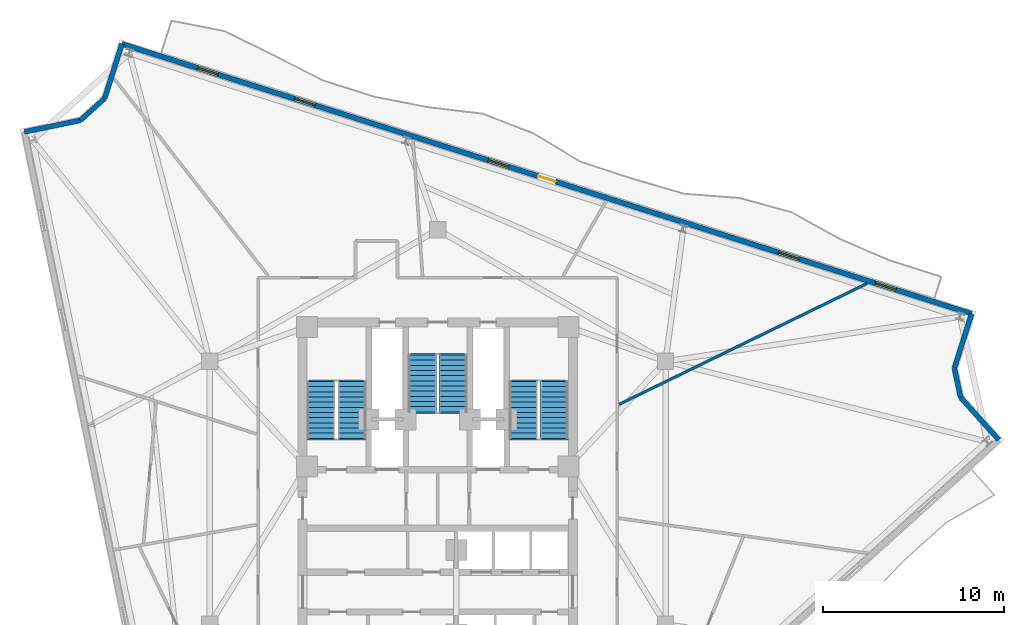
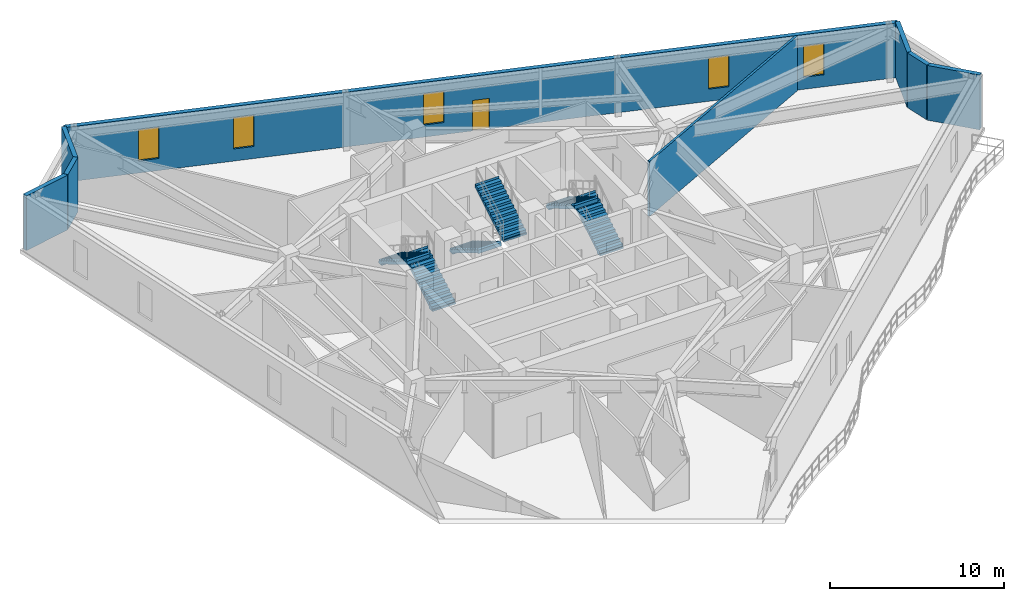
# One storey, part 8 of 11: 8 walls, 6 stair flights, 5 windows, 1 door, 6 openings, 3 elements without a shape of their own.
"""IFC4 building model written with IfcOpenShell, lengths in metres."""

from ifc_helpers import new_model, si_unit, direction, frame, frame_2d, origin, place, context, subcontext, project, spatial, polyline, rectangle, outline, extrude, material, layer, layer_set, type_object, element, fill, aggregate, save


model = new_model("IFC4")

# Units and contexts
model_context = context("Model", 3, precision=1e-05, world=origin(), true_north=direction((0.0, 1.0)))
body_context = subcontext(model_context, "Body", "Model", "MODEL_VIEW")
ifc_project = project(units=[si_unit("LENGTHUNIT", "METRE"), si_unit("AREAUNIT", "SQUARE_METRE"), si_unit("VOLUMEUNIT", "CUBIC_METRE"), si_unit("PLANEANGLEUNIT", "RADIAN"), si_unit("MASSUNIT", "GRAM", prefix="KILO")], contexts=[model_context])

# Site, building, storey
site_placement = place(None, origin())
site = spatial("IfcSite", under=ifc_project, at=site_placement, CompositionType="ELEMENT")
building_placement = place(site_placement, origin())
building = spatial("IfcBuilding", under=site, at=building_placement, Name="Apsidion Concourse Tower", CompositionType="ELEMENT")
storey_placement = place(building_placement, frame((0.0, 0.0, 236.300048828125)))
storey = spatial("IfcBuildingStorey", under=building, at=storey_placement, Name="L55", CompositionType="ELEMENT", Elevation=236.300048828125)

# Wall, openings, door, windows
ifc_material_1 = material(Name="Precast concrete C40/50", Category="concrete")
ifc_layer_1 = layer(ifc_material_1, 0.280029296875)
ifc_layer_set_1 = layer_set([ifc_layer_1], Name="Precast concrete C40/50")
wall_type_1 = type_object("IfcWallType", Name="WL-EXT-280", PredefinedType="STANDARD", material=ifc_layer_set_1)
wall_1_placement = place(storey_placement, frame((-17.4072265625, 24.74755859375, 0.0), z_axis=(0.0, 0.0, 1.0), x_axis=(0.953082756031, -0.302709861346, 0.0)))
wall_1 = element("IfcWall", 1, at=wall_1_placement, inside=storey, type_object=wall_type_1, Name="L55 Precast Stone Facade Wall 01", PredefinedType="STANDARD", context=body_context, shape_type="SweptSolid", body=[
    extrude(rectangle(XDim=49.14501953125, YDim=0.280029296875, at=frame_2d((24.572509765625, 0.0))), origin(), (0.0, 0.0, 1.0), 3.849853515625),
])
opening_1_placement = place(wall_1_placement, frame((24.072509765625, 0.0, 0.0)))
opening_1 = element("IfcOpeningElement", 2, at=opening_1_placement, cuts=wall_1, Name="Opening D-T1L", PredefinedType="OPENING", context=body_context, shape_type="SweptSolid", body=[
    extrude(rectangle(XDim=1.0, YDim=2.14990234375, at=frame_2d((0.5, 1.074951171875))), frame((0.0, 0.14990234375, 0.0), z_axis=(0.0, -1.0, 0.0), x_axis=(1.0, 0.0, 0.0)), (0.0, 0.0, 1.0), 0.300048828125),
])
opening_2_placement = place(wall_1_placement, frame((4.37255859375, 0.0, 0.85009765625)))
opening_2 = element("IfcOpeningElement", 3, at=opening_2_placement, cuts=wall_1, Name="Opening WN-06", PredefinedType="OPENING", context=body_context, shape_type="SweptSolid", body=[
    extrude(rectangle(XDim=1.199951171875, YDim=2.199951171875, at=frame_2d((0.60009765625, 1.10009765625))), frame((0.0, 0.14990234375, 0.0), z_axis=(0.0, -1.0, 0.0), x_axis=(1.0, 0.0, 0.0)), (0.0, 0.0, 1.0), 0.300048828125),
])
opening_3_placement = place(wall_1_placement, frame((9.97265625, 0.0, 0.85009765625)))
opening_3 = element("IfcOpeningElement", 4, at=opening_3_placement, cuts=wall_1, Name="Opening WN-06", PredefinedType="OPENING", context=body_context, shape_type="SweptSolid", body=[
    extrude(rectangle(XDim=1.199951171875, YDim=2.199951171875, at=frame_2d((0.60009765625, 1.10009765625))), frame((0.0, 0.14990234375, 0.0), z_axis=(0.0, -1.0, 0.0), x_axis=(1.0, 0.0, 0.0)), (0.0, 0.0, 1.0), 0.300048828125),
])
opening_4_placement = place(wall_1_placement, frame((21.172607421875, 0.0, 0.85009765625)))
opening_4 = element("IfcOpeningElement", 5, at=opening_4_placement, cuts=wall_1, Name="Opening WN-06", PredefinedType="OPENING", context=body_context, shape_type="SweptSolid", body=[
    extrude(rectangle(XDim=1.199951171875, YDim=2.199951171875, at=frame_2d((0.60009765625, 1.10009765625))), frame((0.0, 0.14990234375, 0.0), z_axis=(0.0, -1.0, 0.0), x_axis=(1.0, 0.0, 0.0)), (0.0, 0.0, 1.0), 0.300048828125),
])
opening_5_placement = place(wall_1_placement, frame((37.97265625, 0.0, 0.85009765625)))
opening_5 = element("IfcOpeningElement", 6, at=opening_5_placement, cuts=wall_1, Name="Opening WN-06", PredefinedType="OPENING", context=body_context, shape_type="SweptSolid", body=[
    extrude(rectangle(XDim=1.199951171875, YDim=2.199951171875, at=frame_2d((0.60009765625, 1.10009765625))), frame((0.0, 0.14990234375, 0.0), z_axis=(0.0, -1.0, 0.0), x_axis=(1.0, 0.0, 0.0)), (0.0, 0.0, 1.0), 0.300048828125),
])
opening_6_placement = place(wall_1_placement, frame((43.572509765625, 0.0, 0.85009765625)))
opening_6 = element("IfcOpeningElement", 7, at=opening_6_placement, cuts=wall_1, Name="Opening WN-06", PredefinedType="OPENING", context=body_context, shape_type="SweptSolid", body=[
    extrude(rectangle(XDim=1.199951171875, YDim=2.199951171875, at=frame_2d((0.60009765625, 1.10009765625))), frame((0.0, 0.14990234375, 0.0), z_axis=(0.0, -1.0, 0.0), x_axis=(1.0, 0.0, 0.0)), (0.0, 0.0, 1.0), 0.300048828125),
])
ifc_material_2 = material(Name="Anodised aluminium EN AW-6063 T6", Category="aluminium")
door_type = type_object("IfcDoorType", Name="DR-TER-1022L", OperationType="SINGLE_SWING_LEFT", PredefinedType="DOOR", material=ifc_material_2)
door_placement = place(opening_1_placement, origin())
door = element("IfcDoor", 8, at=door_placement, inside=storey, type_object=door_type, Name="L55 Balcony Access Door 2", OperationType="SINGLE_SWING_LEFT", OverallHeight=2.14990234375, OverallWidth=1.0, PredefinedType="DOOR", context=body_context, shape_type="SweptSolid", body=[
    extrude(rectangle(XDim=1.0, YDim=2.14990234375, at=frame_2d((0.5, 1.074951171875))), frame((0.0, 0.02490234375, 0.0), z_axis=(0.0, -1.0, 0.0), x_axis=(1.0, 0.0, 0.0)), (0.0, 0.0, 1.0), 0.050048828125),
])
fill(opening_1, door)
ifc_material_3 = material(Name="Insulated laminated low-E glass", Category="glass")
window_type = type_object("IfcWindowType", Name="WN-OFF-1224", PartitioningType="SINGLE_PANEL", PredefinedType="WINDOW", material=ifc_material_3)
window_1_placement = place(opening_2_placement, origin())
window_1 = element("IfcWindow", 9, at=window_1_placement, inside=storey, type_object=window_type, Name="L55 Punched Facade Window 1-01", OverallHeight=2.199951171875, OverallWidth=1.199951171875, PartitioningType="SINGLE_PANEL", PredefinedType="WINDOW", context=body_context, shape_type="SweptSolid", body=[
    extrude(rectangle(XDim=1.199951171875, YDim=2.199951171875, at=frame_2d((0.60009765625, 1.10009765625))), frame((0.0, 0.030029296875, 0.0), z_axis=(0.0, -1.0, 0.0), x_axis=(1.0, 0.0, 0.0)), (0.0, 0.0, 1.0), 0.06005859375),
])
fill(opening_2, window_1)
window_2_placement = place(opening_3_placement, origin())
window_2 = element("IfcWindow", 10, at=window_2_placement, inside=storey, type_object=window_type, Name="L55 Punched Facade Window 1-02", OverallHeight=2.199951171875, OverallWidth=1.199951171875, PartitioningType="SINGLE_PANEL", PredefinedType="WINDOW", context=body_context, shape_type="SweptSolid", body=[
    extrude(rectangle(XDim=1.199951171875, YDim=2.199951171875, at=frame_2d((0.60009765625, 1.10009765625))), frame((0.0, 0.030029296875, 0.0), z_axis=(0.0, -1.0, 0.0), x_axis=(1.0, 0.0, 0.0)), (0.0, 0.0, 1.0), 0.06005859375),
])
fill(opening_3, window_2)
window_3_placement = place(opening_4_placement, origin())
window_3 = element("IfcWindow", 11, at=window_3_placement, inside=storey, type_object=window_type, Name="L55 Punched Facade Window 1-04", OverallHeight=2.199951171875, OverallWidth=1.199951171875, PartitioningType="SINGLE_PANEL", PredefinedType="WINDOW", context=body_context, shape_type="SweptSolid", body=[
    extrude(rectangle(XDim=1.199951171875, YDim=2.199951171875, at=frame_2d((0.60009765625, 1.10009765625))), frame((0.0, 0.030029296875, 0.0), z_axis=(0.0, -1.0, 0.0), x_axis=(1.0, 0.0, 0.0)), (0.0, 0.0, 1.0), 0.06005859375),
])
fill(opening_4, window_3)
window_4_placement = place(opening_5_placement, origin())
window_4 = element("IfcWindow", 12, at=window_4_placement, inside=storey, type_object=window_type, Name="L55 Punched Facade Window 1-07", OverallHeight=2.199951171875, OverallWidth=1.199951171875, PartitioningType="SINGLE_PANEL", PredefinedType="WINDOW", context=body_context, shape_type="SweptSolid", body=[
    extrude(rectangle(XDim=1.199951171875, YDim=2.199951171875, at=frame_2d((0.60009765625, 1.10009765625))), frame((0.0, 0.030029296875, 0.0), z_axis=(0.0, -1.0, 0.0), x_axis=(1.0, 0.0, 0.0)), (0.0, 0.0, 1.0), 0.06005859375),
])
fill(opening_5, window_4)
window_5_placement = place(opening_6_placement, origin())
window_5 = element("IfcWindow", 13, at=window_5_placement, inside=storey, type_object=window_type, Name="L55 Punched Facade Window 1-08", OverallHeight=2.199951171875, OverallWidth=1.199951171875, PartitioningType="SINGLE_PANEL", PredefinedType="WINDOW", context=body_context, shape_type="SweptSolid", body=[
    extrude(rectangle(XDim=1.199951171875, YDim=2.199951171875, at=frame_2d((0.60009765625, 1.10009765625))), frame((0.0, 0.030029296875, 0.0), z_axis=(0.0, -1.0, 0.0), x_axis=(1.0, 0.0, 0.0)), (0.0, 0.0, 1.0), 0.06005859375),
])
fill(opening_6, window_5)

# Walls
wall_2_placement = place(storey_placement, frame((29.43212890625, 9.870849609375, 0.0), z_axis=(0.0, 0.0, 1.0), x_axis=(-0.30264059672, -0.953104752489, 0.0)))
element("IfcWall", 14, at=wall_2_placement, inside=storey, type_object=wall_type_1, Name="L55 Precast Stone Facade Wall 02", PredefinedType="STANDARD", context=body_context, shape_type="SweptSolid", body=[
    extrude(rectangle(XDim=3.150146484375, YDim=0.280029296875, at=frame_2d((1.5751953125, 0.0))), origin(), (0.0, 0.0, 1.0), 3.849853515625),
])
wall_3_placement = place(storey_placement, frame((28.478759765625, 6.868408203125, 0.0), z_axis=(0.0, 0.0, 1.0), x_axis=(0.211126358094, -0.977458777094, 0.0)))
element("IfcWall", 15, at=wall_3_placement, inside=storey, type_object=wall_type_1, Name="L55 Precast Stone Facade Wall 03", PredefinedType="STANDARD", context=body_context, shape_type="SweptSolid", body=[
    extrude(rectangle(XDim=1.64892578125, YDim=0.280029296875, at=frame_2d((0.824462890625, 0.0))), origin(), (0.0, 0.0, 1.0), 3.849853515625),
])
wall_4_placement = place(storey_placement, frame((28.826904296875, 5.256591796875, 0.0), z_axis=(0.0, 0.0, 1.0), x_axis=(0.669127439782, -0.743147676663, 0.0)))
element("IfcWall", 16, at=wall_4_placement, inside=storey, type_object=wall_type_1, Name="L55 Precast Stone Facade Wall 04", PredefinedType="STANDARD", context=body_context, shape_type="SweptSolid", body=[
    extrude(rectangle(XDim=3.14990234375, YDim=0.280029296875, at=frame_2d((1.574951171875, 0.0))), origin(), (0.0, 0.0, 1.0), 3.849853515625),
])
wall_5_placement = place(storey_placement, frame((-22.79248046875, 19.898681640625, 0.0), z_axis=(0.0, 0.0, 1.0), x_axis=(0.979502474011, 0.201432131016, 0.0)))
element("IfcWall", 17, at=wall_5_placement, inside=storey, type_object=wall_type_1, Name="L55 Precast Stone Facade Wall 10", PredefinedType="STANDARD", context=body_context, shape_type="SweptSolid", body=[
    extrude(rectangle(XDim=3.1513671875, YDim=0.280029296875, at=frame_2d((1.57568359375, 0.0))), origin(), (0.0, 0.0, 1.0), 3.849853515625),
])
wall_6_placement = place(storey_placement, frame((-19.705810546875, 20.533447265625, 0.0), z_axis=(0.0, 0.0, 1.0), x_axis=(0.743173371482, 0.669098901449, 0.0)))
element("IfcWall", 18, at=wall_6_placement, inside=storey, type_object=wall_type_1, Name="L55 Precast Stone Facade Wall 11", PredefinedType="STANDARD", context=body_context, shape_type="SweptSolid", body=[
    extrude(rectangle(XDim=1.809326171875, YDim=0.280029296875, at=frame_2d((0.90478515625, 0.0))), origin(), (0.0, 0.0, 1.0), 3.849853515625),
])
wall_7_placement = place(storey_placement, frame((-18.361083984375, 21.744140625, 0.0), z_axis=(0.0, 0.0, 1.0), x_axis=(0.302691963624, 0.953088440365, 0.0)))
element("IfcWall", 19, at=wall_7_placement, inside=storey, type_object=wall_type_1, Name="L55 Precast Stone Facade Wall 12", PredefinedType="STANDARD", context=body_context, shape_type="SweptSolid", body=[
    extrude(rectangle(XDim=3.1513671875, YDim=0.280029296875, at=frame_2d((1.57568359375, 0.0))), origin(), (0.0, 0.0, 1.0), 3.849853515625),
])
ifc_material_4 = material(Name="Gypsum plasterboard partition")
ifc_layer_2 = layer(ifc_material_4, 0.14990234375)
ifc_layer_set_2 = layer_set([ifc_layer_2], Name="Gypsum plasterboard partition")
wall_type_2 = type_object("IfcWallType", Name="WL-INT-PAR-150", PredefinedType="PARTITIONING", material=ifc_layer_set_2)
wall_8_placement = place(storey_placement, frame((10.0048828125, 4.8798828125, 0.0), z_axis=(0.0, 0.0, 1.0), x_axis=(0.89879886383, 0.43836126925, 0.0)))
element("IfcWall", 20, at=wall_8_placement, inside=storey, type_object=wall_type_2, Name="L55 Interior Partition WL-L55-RAD-01-1", PredefinedType="PARTITIONING", context=body_context, shape_type="SweptSolid", body=[
    extrude(rectangle(XDim=15.195068359375, YDim=0.14990234375, at=frame_2d((7.59765625, 0.0))), origin(), (0.0, 0.0, 1.0), 3.849853515625),
])

# Stair, stair flights
stair_type = type_object("IfcStairType", Name="ST-DL-1550", PredefinedType="HALF_TURN_STAIR", material=ifc_material_1)
stair_1_placement = place(storey_placement, origin())
stair_1 = element("IfcStair", 21, at=stair_1_placement, inside=storey, type_object=stair_type, Name="L55 Protected Core Exit Stair ST1", PredefinedType="HALF_TURN_STAIR")
stair_flight_type = type_object("IfcStairFlightType", Name="SFL-RC-1550", PredefinedType="STRAIGHT", material=ifc_material_1)
stair_flight_1_placement = place(storey_placement, frame((-4.72509765625, 3.0, 0.0), z_axis=(0.0, 0.0, 1.0), x_axis=(0.0, 1.0, 0.0)))
stair_flight_1 = element("IfcStairFlight", 22, at=stair_flight_1_placement, type_object=stair_flight_type, Name="ST1 flight 1", NumberOfRisers=12, NumberOfTreads=11, PredefinedType="STRAIGHT", RiserHeight=0.170833333, TreadLength=0.285, context=body_context, shape_type="SweptSolid", body=[
    extrude(outline(polyline([(-0.080078125, -0.1123046875), (-0.080078125, 0.0), (0.0, 0.0), (0.0, 0.1708984375), (0.284912109375, 0.1708984375), (0.284912109375, 0.341552734375), (0.570068359375, 0.341552734375), (0.570068359375, 0.512451171875), (0.85498046875, 0.512451171875), (0.85498046875, 0.683349609375), (1.139892578125, 0.683349609375), (1.139892578125, 0.854248046875), (1.425048828125, 0.854248046875), (1.425048828125, 1.02490234375), (1.7099609375, 1.02490234375), (1.7099609375, 1.19580078125), (1.9951171875, 1.19580078125), (1.9951171875, 1.36669921875), (2.280029296875, 1.36669921875), (2.280029296875, 1.53759765625), (2.56494140625, 1.53759765625), (2.56494140625, 1.708251953125), (2.85009765625, 1.708251953125), (2.85009765625, 1.879150390625), (3.135009765625, 1.879150390625), (3.135009765625, 2.050048828125), (3.215087890625, 1.964599609375), (3.215087890625, 1.704345703125), (3.135009765625, 1.704345703125), (0.29150390625, 0.0), (0.29150390625, -0.1123046875), (-0.080078125, -0.1123046875)])), frame((0.0, 0.77490234375, 0.0), z_axis=(0.0, -1.0, 0.0), x_axis=(1.0, 0.0, 0.0)), (0.0, 0.0, 1.0), 1.550048828125),
])
stair_flight_2_placement = place(storey_placement, frame((-6.425048828125, 6.135009765625, 2.050048828125), z_axis=(0.0, 0.0, 1.0), x_axis=(0.0, -1.0, 0.0)))
stair_flight_2 = element("IfcStairFlight", 23, at=stair_flight_2_placement, type_object=stair_flight_type, Name="ST1 flight 2", NumberOfRisers=12, NumberOfTreads=11, PredefinedType="STRAIGHT", RiserHeight=0.170833333, TreadLength=0.285, context=body_context, shape_type="SweptSolid", body=[
    extrude(outline(polyline([(-0.080078125, -0.1123046875), (-0.080078125, 0.0), (0.0, 0.0), (0.0, 0.1708984375), (0.284912109375, 0.1708984375), (0.284912109375, 0.341552734375), (0.570068359375, 0.341552734375), (0.570068359375, 0.512451171875), (0.85498046875, 0.512451171875), (0.85498046875, 0.683349609375), (1.139892578125, 0.683349609375), (1.139892578125, 0.854248046875), (1.425048828125, 0.854248046875), (1.425048828125, 1.02490234375), (1.7099609375, 1.02490234375), (1.7099609375, 1.19580078125), (1.9951171875, 1.19580078125), (1.9951171875, 1.36669921875), (2.280029296875, 1.36669921875), (2.280029296875, 1.53759765625), (2.56494140625, 1.53759765625), (2.56494140625, 1.708251953125), (2.85009765625, 1.708251953125), (2.85009765625, 1.879150390625), (3.135009765625, 1.879150390625), (3.135009765625, 2.050048828125), (3.215087890625, 1.964599609375), (3.215087890625, 1.704345703125), (3.135009765625, 1.704345703125), (0.29150390625, 0.0), (0.29150390625, -0.1123046875), (-0.080078125, -0.1123046875)])), frame((0.0, 0.77490234375, 0.0), z_axis=(0.0, -1.0, 0.0), x_axis=(1.0, 0.0, 0.0)), (0.0, 0.0, 1.0), 1.550048828125),
])
aggregate(stair_1, [stair_flight_1, stair_flight_2])

stair_2_placement = place(storey_placement, origin())
stair_2 = element("IfcStair", 24, at=stair_2_placement, inside=storey, type_object=stair_type, Name="L55 Protected Core Exit Stair ST2", PredefinedType="HALF_TURN_STAIR")
stair_flight_3_placement = place(storey_placement, frame((6.425048828125, 3.0, 0.0), z_axis=(0.0, 0.0, 1.0), x_axis=(0.0, 1.0, 0.0)))
stair_flight_3 = element("IfcStairFlight", 25, at=stair_flight_3_placement, type_object=stair_flight_type, Name="ST2 flight 1", NumberOfRisers=12, NumberOfTreads=11, PredefinedType="STRAIGHT", RiserHeight=0.170833333, TreadLength=0.285, context=body_context, shape_type="SweptSolid", body=[
    extrude(outline(polyline([(-0.080078125, -0.1123046875), (-0.080078125, 0.0), (0.0, 0.0), (0.0, 0.1708984375), (0.284912109375, 0.1708984375), (0.284912109375, 0.341552734375), (0.570068359375, 0.341552734375), (0.570068359375, 0.512451171875), (0.85498046875, 0.512451171875), (0.85498046875, 0.683349609375), (1.139892578125, 0.683349609375), (1.139892578125, 0.854248046875), (1.425048828125, 0.854248046875), (1.425048828125, 1.02490234375), (1.7099609375, 1.02490234375), (1.7099609375, 1.19580078125), (1.9951171875, 1.19580078125), (1.9951171875, 1.36669921875), (2.280029296875, 1.36669921875), (2.280029296875, 1.53759765625), (2.56494140625, 1.53759765625), (2.56494140625, 1.708251953125), (2.85009765625, 1.708251953125), (2.85009765625, 1.879150390625), (3.135009765625, 1.879150390625), (3.135009765625, 2.050048828125), (3.215087890625, 1.964599609375), (3.215087890625, 1.704345703125), (3.135009765625, 1.704345703125), (0.29150390625, 0.0), (0.29150390625, -0.1123046875), (-0.080078125, -0.1123046875)])), frame((0.0, 0.77490234375, 0.0), z_axis=(0.0, -1.0, 0.0), x_axis=(1.0, 0.0, 0.0)), (0.0, 0.0, 1.0), 1.550048828125),
])
stair_flight_4_placement = place(storey_placement, frame((4.72509765625, 6.135009765625, 2.050048828125), z_axis=(0.0, 0.0, 1.0), x_axis=(0.0, -1.0, 0.0)))
stair_flight_4 = element("IfcStairFlight", 26, at=stair_flight_4_placement, type_object=stair_flight_type, Name="ST2 flight 2", NumberOfRisers=12, NumberOfTreads=11, PredefinedType="STRAIGHT", RiserHeight=0.170833333, TreadLength=0.285, context=body_context, shape_type="SweptSolid", body=[
    extrude(outline(polyline([(-0.080078125, -0.1123046875), (-0.080078125, 0.0), (0.0, 0.0), (0.0, 0.1708984375), (0.284912109375, 0.1708984375), (0.284912109375, 0.341552734375), (0.570068359375, 0.341552734375), (0.570068359375, 0.512451171875), (0.85498046875, 0.512451171875), (0.85498046875, 0.683349609375), (1.139892578125, 0.683349609375), (1.139892578125, 0.854248046875), (1.425048828125, 0.854248046875), (1.425048828125, 1.02490234375), (1.7099609375, 1.02490234375), (1.7099609375, 1.19580078125), (1.9951171875, 1.19580078125), (1.9951171875, 1.36669921875), (2.280029296875, 1.36669921875), (2.280029296875, 1.53759765625), (2.56494140625, 1.53759765625), (2.56494140625, 1.708251953125), (2.85009765625, 1.708251953125), (2.85009765625, 1.879150390625), (3.135009765625, 1.879150390625), (3.135009765625, 2.050048828125), (3.215087890625, 1.964599609375), (3.215087890625, 1.704345703125), (3.135009765625, 1.704345703125), (0.29150390625, 0.0), (0.29150390625, -0.1123046875), (-0.080078125, -0.1123046875)])), frame((0.0, 0.77490234375, 0.0), z_axis=(0.0, -1.0, 0.0), x_axis=(1.0, 0.0, 0.0)), (0.0, 0.0, 1.0), 1.550048828125),
])
aggregate(stair_2, [stair_flight_3, stair_flight_4])

stair_3_placement = place(storey_placement, origin())
stair_3 = element("IfcStair", 27, at=stair_3_placement, inside=storey, type_object=stair_type, Name="L55 Protected Core Exit Stair ST3", PredefinedType="HALF_TURN_STAIR")
stair_flight_5_placement = place(storey_placement, frame((-0.85009765625, 7.60009765625, 0.0), z_axis=(0.0, 0.0, 1.0), x_axis=(0.0, -1.0, 0.0)))
stair_flight_5 = element("IfcStairFlight", 28, at=stair_flight_5_placement, type_object=stair_flight_type, Name="ST3 flight 1", NumberOfRisers=12, NumberOfTreads=11, PredefinedType="STRAIGHT", RiserHeight=0.170833333, TreadLength=0.285, context=body_context, shape_type="SweptSolid", body=[
    extrude(outline(polyline([(-0.080078125, -0.1123046875), (-0.080078125, 0.0), (0.0, 0.0), (0.0, 0.1708984375), (0.284912109375, 0.1708984375), (0.284912109375, 0.341552734375), (0.570068359375, 0.341552734375), (0.570068359375, 0.512451171875), (0.85498046875, 0.512451171875), (0.85498046875, 0.683349609375), (1.139892578125, 0.683349609375), (1.139892578125, 0.854248046875), (1.425048828125, 0.854248046875), (1.425048828125, 1.02490234375), (1.7099609375, 1.02490234375), (1.7099609375, 1.19580078125), (1.9951171875, 1.19580078125), (1.9951171875, 1.36669921875), (2.280029296875, 1.36669921875), (2.280029296875, 1.53759765625), (2.56494140625, 1.53759765625), (2.56494140625, 1.708251953125), (2.85009765625, 1.708251953125), (2.85009765625, 1.879150390625), (3.135009765625, 1.879150390625), (3.135009765625, 2.050048828125), (3.215087890625, 1.964599609375), (3.215087890625, 1.704345703125), (3.135009765625, 1.704345703125), (0.29150390625, 0.0), (0.29150390625, -0.1123046875), (-0.080078125, -0.1123046875)])), frame((0.0, 0.77490234375, 0.0), z_axis=(0.0, -1.0, 0.0), x_axis=(1.0, 0.0, 0.0)), (0.0, 0.0, 1.0), 1.550048828125),
])
stair_flight_6_placement = place(storey_placement, frame((0.85009765625, 4.465087890625, 2.050048828125), z_axis=(0.0, 0.0, 1.0), x_axis=(0.0, 1.0, 0.0)))
stair_flight_6 = element("IfcStairFlight", 29, at=stair_flight_6_placement, type_object=stair_flight_type, Name="ST3 flight 2", NumberOfRisers=12, NumberOfTreads=11, PredefinedType="STRAIGHT", RiserHeight=0.170833333, TreadLength=0.285, context=body_context, shape_type="SweptSolid", body=[
    extrude(outline(polyline([(-0.080078125, -0.1123046875), (-0.080078125, 0.0), (0.0, 0.0), (0.0, 0.1708984375), (0.284912109375, 0.1708984375), (0.284912109375, 0.341552734375), (0.570068359375, 0.341552734375), (0.570068359375, 0.512451171875), (0.85498046875, 0.512451171875), (0.85498046875, 0.683349609375), (1.139892578125, 0.683349609375), (1.139892578125, 0.854248046875), (1.425048828125, 0.854248046875), (1.425048828125, 1.02490234375), (1.7099609375, 1.02490234375), (1.7099609375, 1.19580078125), (1.9951171875, 1.19580078125), (1.9951171875, 1.36669921875), (2.280029296875, 1.36669921875), (2.280029296875, 1.53759765625), (2.56494140625, 1.53759765625), (2.56494140625, 1.708251953125), (2.85009765625, 1.708251953125), (2.85009765625, 1.879150390625), (3.135009765625, 1.879150390625), (3.135009765625, 2.050048828125), (3.215087890625, 1.964599609375), (3.215087890625, 1.704345703125), (3.135009765625, 1.704345703125), (0.29150390625, 0.0), (0.29150390625, -0.1123046875), (-0.080078125, -0.1123046875)])), frame((0.0, 0.77490234375, 0.0), z_axis=(0.0, -1.0, 0.0), x_axis=(1.0, 0.0, 0.0)), (0.0, 0.0, 1.0), 1.550048828125),
])
aggregate(stair_3, [stair_flight_5, stair_flight_6])

save(model, "model.ifc")
